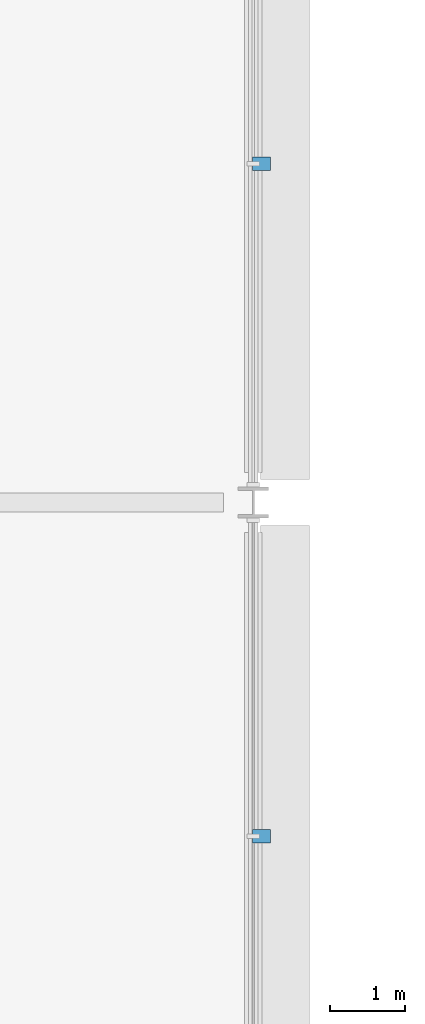
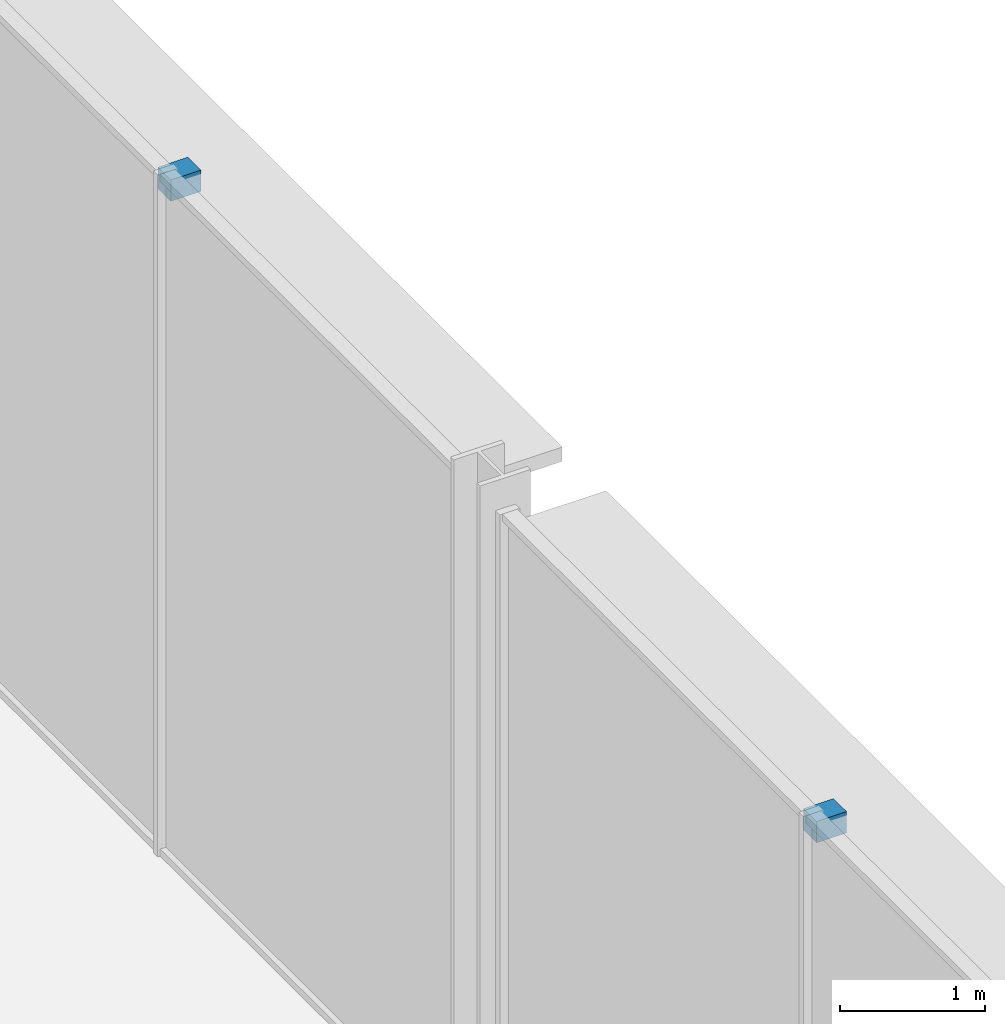
# One storey, part 49 of 84: 2 discrete accessories.
"""IFC4 building model written with IfcOpenShell, lengths in metres."""

from ifc_helpers import new_model, si_unit, direction, frame, origin, origin_2d, place, context, subcontext, project, spatial, rectangle, extrude, material, type_object, element, save


model = new_model("IFC4")

# Units and contexts
model_context = context("Model", 3, precision=1e-05, world=origin(), true_north=direction((0.0, 1.0)))
body_context = subcontext(model_context, "Body", "Model", "MODEL_VIEW")
ifc_project = project(units=[si_unit("LENGTHUNIT", "METRE"), si_unit("AREAUNIT", "SQUARE_METRE"), si_unit("VOLUMEUNIT", "CUBIC_METRE"), si_unit("PLANEANGLEUNIT", "RADIAN"), si_unit("MASSUNIT", "GRAM", prefix="KILO")], contexts=[model_context])

# Site, building, storey
site_placement = place(None, origin())
site = spatial("IfcSite", under=ifc_project, at=site_placement, CompositionType="ELEMENT")
building_placement = place(site_placement, origin())
building = spatial("IfcBuilding", under=site, at=building_placement, Name="Kisiwana Market Hall", CompositionType="ELEMENT")
storey_placement = place(building_placement, origin())
storey = spatial("IfcBuildingStorey", under=building, at=storey_placement, Name="L00", CompositionType="ELEMENT", Elevation=0.0)

# Discrete accessories
ifc_material = material(Name="Steel S355", Category="steel")
discrete_accessory_type = type_object("IfcDiscreteAccessoryType", Name="ACC-BRACKET-STL", PredefinedType="BRACKET", material=ifc_material)
for number, where, z_axis, x_axis, name in (
    (1, (198.110107421875, 4.573486328125, 5.5400390625), (0.0, 0.0, 1.0), (0.0, 1.0, 0.0), "Sunshade steel bracket BRK-003"),
    (2, (198.110107421875, 13.492919921875, 5.5400390625), (0.0, 0.0, 1.0), (0.0, 1.0, 0.0), "Sunshade steel bracket BRK-004"),
):
    element("IfcDiscreteAccessory", number, at=place(storey_placement, frame(where, z_axis=z_axis, x_axis=x_axis)), inside=storey, type_object=discrete_accessory_type, Name=name, PredefinedType="BRACKET", context=body_context, shape_type="SweptSolid", body=[
        extrude(rectangle(XDim=0.179931640625, YDim=0.239990234375, at=origin_2d()), origin(), (0.0, 0.0, 1.0), 0.179931640625),
    ])

save(model, "model.ifc")
